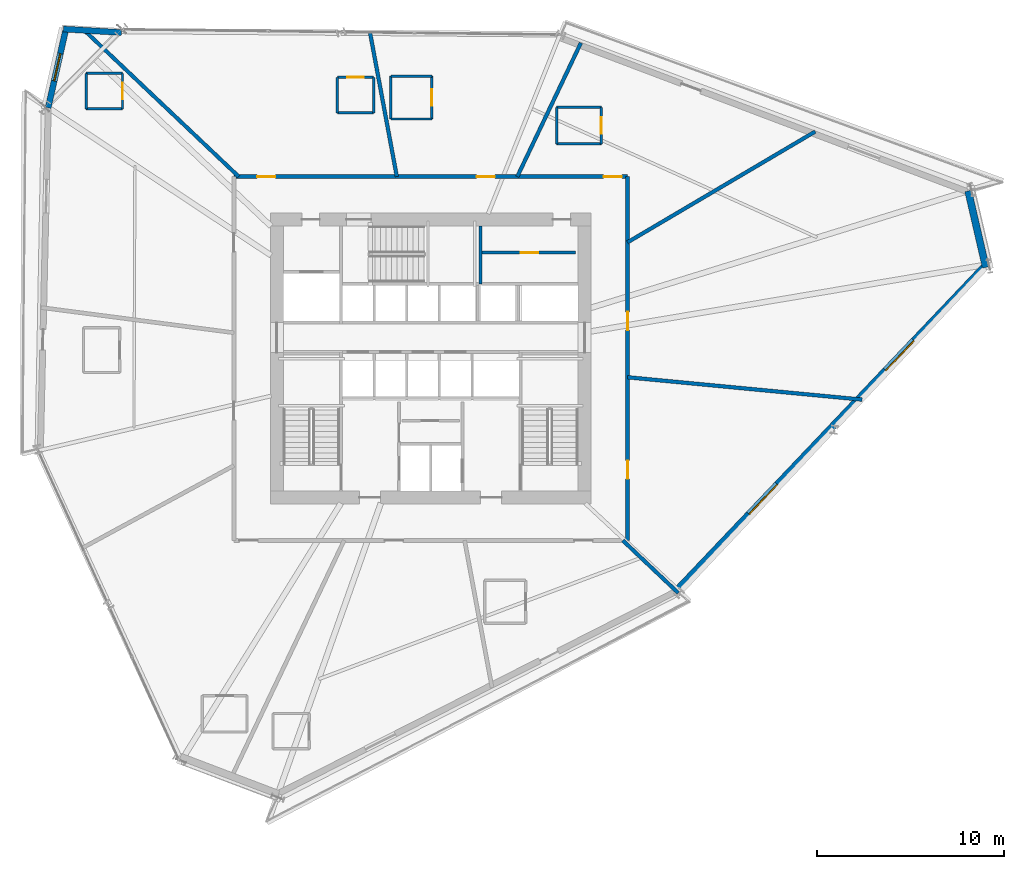
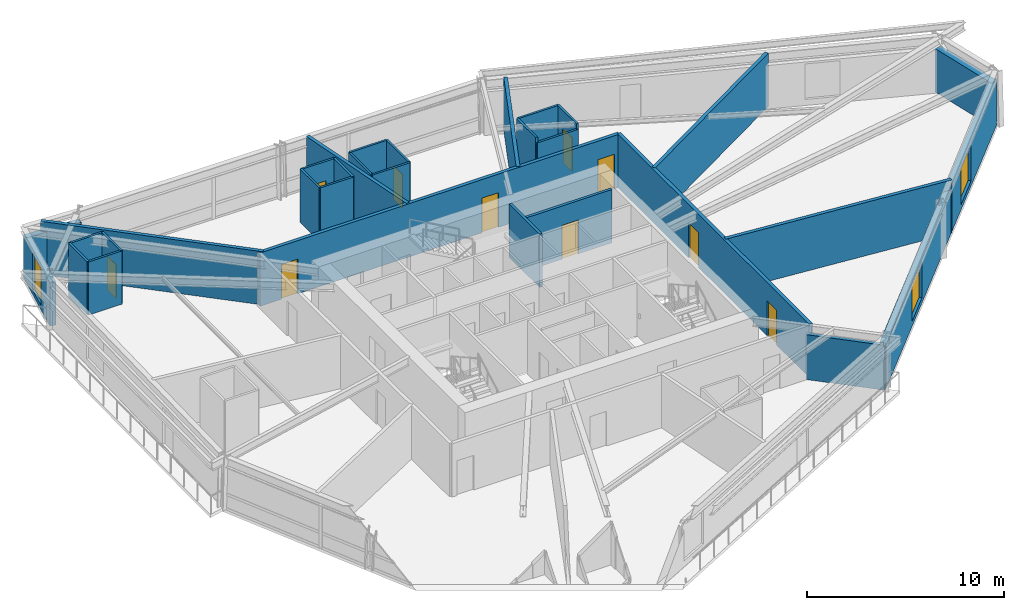
# One storey, part 16 of 21: 30 walls, 10 doors, 3 windows, 13 openings.
"""IFC4 building model written with IfcOpenShell, lengths in metres."""

import ifcopenshell
import ifcopenshell.guid

model = None  # the IFC model being written
_history = None  # IfcOwnerHistory: only IFC2X3 demands one
_inside = {}  # id of a spatial element -> (the spatial element, [elements in it])
_under = {}  # id of a project, library or spatial element -> (it, [spatial elements below it])
_declared = {}  # id of a project -> (the project, [libraries it declares])
_typed = {}  # id of a type object -> (the type object, [elements of that type])
_made_of = {}  # id of a material, layer set ... -> (it, [elements and type objects made of it])


def new_model(schema):
    """Start an empty IFC model of exactly this schema.

    Asked for "IFC4X3", IfcOpenShell would pick the latest addendum, in which some entities
    have other attributes; the version numbers below select the first issue.
    IFC2X3 requires an IfcOwnerHistory on every rooted entity: one is made here for all.
    """
    global model, _history
    if schema == "IFC4X3":
        model = ifcopenshell.file(schema_version=(4, 3, 0, 0))
    else:
        model = ifcopenshell.file(schema=schema)
    _inside.clear()
    _under.clear()
    _declared.clear()
    _typed.clear()
    _made_of.clear()
    _history = None
    if model.schema == "IFC2X3":
        org = make("IfcOrganization", Name="unknown")
        user = make(
            "IfcPersonAndOrganization",
            ThePerson=make("IfcPerson", FamilyName="unknown"),
            TheOrganization=org,
        )
        app = make(
            "IfcApplication",
            ApplicationDeveloper=org,
            Version="unknown",
            ApplicationFullName="unknown",
            ApplicationIdentifier="unknown",
        )
        _history = make(
            "IfcOwnerHistory",
            OwningUser=user,
            OwningApplication=app,
            ChangeAction="ADDED",
            CreationDate=0,
        )
    return model


def make(cls, **values):
    """One entity of the class cls with the attributes given. An attribute that is None is left unset."""
    return model.create_entity(
        cls, **{name: value for name, value in values.items() if value is not None}
    )


def rooted(cls, **values):
    """An entity with a GlobalId (a new one), such as an element, a storey or a relation."""
    return make(cls, GlobalId=ifcopenshell.guid.new(), OwnerHistory=_history, **values)


def si_unit(unit_type, name, prefix=None):
    """IfcSIUnit, for example si_unit("LENGTHUNIT", "METRE", prefix="MILLI")."""
    return make("IfcSIUnit", UnitType=unit_type, Prefix=prefix, Name=name)


def assignment(units):
    """IfcUnitAssignment: the units of a project."""
    return None if units is None else make("IfcUnitAssignment", Units=units)


def point(xyz):
    """IfcCartesianPoint."""
    return None if xyz is None else make("IfcCartesianPoint", Coordinates=xyz)


def direction(xyz):
    """IfcDirection."""
    return None if xyz is None else make("IfcDirection", DirectionRatios=xyz)


def frame(location, z_axis=None, x_axis=None):
    """IfcAxis2Placement3D, a coordinate frame: its origin and axes. An axis left out is left unset."""
    return make(
        "IfcAxis2Placement3D",
        Location=point(location),
        Axis=direction(z_axis),
        RefDirection=direction(x_axis),
    )


def frame_2d(location, x_axis=None):
    """IfcAxis2Placement2D, a coordinate frame in the plane: its origin and x axis."""
    return make(
        "IfcAxis2Placement2D", Location=point(location), RefDirection=direction(x_axis)
    )


def origin():
    """The frame at (0, 0, 0) with its axes left unset."""
    return frame((0.0, 0.0, 0.0))


def place(relative_to, where):
    """IfcLocalPlacement: puts the frame where relative to a parent placement (None: the world)."""
    return make(
        "IfcLocalPlacement", PlacementRelTo=relative_to, RelativePlacement=where
    )


def context(
    kind, dimensions, precision=None, world=None, true_north=None, identifier=None
):
    """IfcGeometricRepresentationContext, for example the 3D "Model" context."""
    return make(
        "IfcGeometricRepresentationContext",
        ContextIdentifier=identifier,
        ContextType=kind,
        CoordinateSpaceDimension=dimensions,
        Precision=precision,
        WorldCoordinateSystem=world,
        TrueNorth=true_north,
    )


def subcontext(parent, identifier, kind, view, scale=None):
    """IfcGeometricRepresentationSubContext, for example "Body" below "Model"."""
    return make(
        "IfcGeometricRepresentationSubContext",
        ContextIdentifier=identifier,
        ContextType=kind,
        ParentContext=parent,
        TargetScale=scale,
        TargetView=view,
    )


def project(units=None, contexts=None):
    """IfcProject with its units and contexts."""
    return rooted(
        "IfcProject",
        Name="project",
        RepresentationContexts=contexts,
        UnitsInContext=assignment(units),
    )


def spatial(cls, under=None, at=None, **own):
    """A site, building, storey or space (cls), placed at a placement, below another one or the project."""
    s = rooted(cls, ObjectPlacement=at, **own)
    if under is not None:
        _under.setdefault(under.id(), (under, []))[1].append(s)
    return s


def profile(cls, at=None, kind="AREA", **sizes):
    """A parametric profile (cls). Its sizes go by their IFC names, for example OverallWidth=200.0."""
    return make(cls, ProfileType=kind, Position=at, **sizes)


def rectangle(**sizes):
    """IfcRectangleProfileDef."""
    return profile("IfcRectangleProfileDef", **sizes)


def extrude(swept, where, along, depth):
    """IfcExtrudedAreaSolid: the profile swept, set in the frame where, extruded along a direction by depth."""
    return make(
        "IfcExtrudedAreaSolid",
        SweptArea=swept,
        Position=where,
        ExtrudedDirection=direction(along),
        Depth=depth,
    )


def shape(context_of_items, identifier, shape_type, items):
    """IfcShapeRepresentation: the items that make up one representation, for example the "Body"."""
    return make(
        "IfcShapeRepresentation",
        ContextOfItems=context_of_items,
        RepresentationIdentifier=identifier,
        RepresentationType=shape_type,
        Items=items,
    )


def source(mapping_origin, context_of_items, identifier, shape_type, items):
    """IfcRepresentationMap: a shape defined once, which mapped items show again and again."""
    return make(
        "IfcRepresentationMap",
        MappingOrigin=mapping_origin,
        MappedRepresentation=shape(context_of_items, identifier, shape_type, items),
    )


def transform(
    local_origin,
    x_axis=None,
    y_axis=None,
    z_axis=None,
    scale=None,
    scale2=None,
    scale3=None,
    uniform=True,
):
    """IfcCartesianTransformationOperator3D, or its non-uniform kind. x_axis, y_axis, z_axis: its Axis1, 2, 3."""
    if uniform:
        return make(
            "IfcCartesianTransformationOperator3D",
            Axis1=direction(x_axis),
            Axis2=direction(y_axis),
            LocalOrigin=point(local_origin),
            Scale=scale,
            Axis3=direction(z_axis),
        )
    return make(
        "IfcCartesianTransformationOperator3DnonUniform",
        Axis1=direction(x_axis),
        Axis2=direction(y_axis),
        LocalOrigin=point(local_origin),
        Scale=scale,
        Axis3=direction(z_axis),
        Scale2=scale2,
        Scale3=scale3,
    )


def mapped(mapping_source, mapping_target):
    """IfcMappedItem: shows the shape of a source again, moved by a transform."""
    return make(
        "IfcMappedItem", MappingSource=mapping_source, MappingTarget=mapping_target
    )


def material(Name=None, Category=None):
    """IfcMaterial."""
    return make("IfcMaterial", Name=Name, Category=Category)


def layer(
    of_material, thickness, ventilated=None, Name=None, Category=None, Priority=None
):
    """IfcMaterialLayer: one layer of a wall or slab, of a material (None: an air gap)."""
    return make(
        "IfcMaterialLayer",
        Material=of_material,
        LayerThickness=thickness,
        IsVentilated=ventilated,
        Name=Name,
        Category=Category,
        Priority=Priority,
    )


def layer_set(layers, Name=None):
    """IfcMaterialLayerSet."""
    return make("IfcMaterialLayerSet", MaterialLayers=layers, LayerSetName=Name)


def made_of(thing, what):
    """Note that an element or type object is made of a material, layer set ...; save() writes the relation."""
    if what is not None:
        _made_of.setdefault(what.id(), (what, []))[1].append(thing)
    return thing


def type_object(cls, material=None, **own):
    """A type object (cls), such as IfcWallType, which elements share."""
    return made_of(rooted(cls, **own), material)


def type_shapes(of_type, sources):
    """Give a type object the sources (RepresentationMaps) that its elements show as mapped items."""
    of_type.RepresentationMaps = sources


def element(
    cls,
    number,
    at=None,
    inside=None,
    cuts=None,
    type_object=None,
    material=None,
    context=None,
    identifier="Body",
    shape_type=None,
    held_by="IfcProductDefinitionShape",
    body=None,
    shapes=None,
    **own,
):
    """One element of the class cls, such as IfcWall. Its Tag is "e" and its number.

    at: its placement. inside: the storey or other place that contains it. cuts: it is an
    opening in that element (IfcRelVoidsElement). A single representation is given by context,
    identifier, shape_type and body (its items); several are given by shapes. held_by: the class
    of the entity that holds the representations. save() writes the other relations.
    """
    e = rooted(cls, Tag="e%d" % number, ObjectPlacement=at, **own)
    if body is not None:
        shapes = [shape(context, identifier, shape_type, body)]
    if shapes is not None:
        e.Representation = make(held_by, Representations=shapes)
    if inside is not None:
        _inside.setdefault(inside.id(), (inside, []))[1].append(e)
    if cuts is not None:
        rooted(
            "IfcRelVoidsElement", RelatingBuildingElement=cuts, RelatedOpeningElement=e
        )
    if type_object is not None:
        _typed.setdefault(type_object.id(), (type_object, []))[1].append(e)
    return made_of(e, material)


def fill(opening, filler):
    """IfcRelFillsElement: the door or window that sits in an opening."""
    return rooted(
        "IfcRelFillsElement",
        RelatingOpeningElement=opening,
        RelatedBuildingElement=filler,
    )


def aggregate(whole, parts):
    """IfcRelAggregates: a whole, such as a stair, and the parts it consists of."""
    return rooted("IfcRelAggregates", RelatingObject=whole, RelatedObjects=parts)


def save(model, path):
    """Write the relations noted so far, then the file.

    IfcRelAggregates (storeys below a building ...), IfcRelContainedInSpatialStructure (elements
    in a storey), IfcRelDefinesByType, IfcRelAssociatesMaterial and IfcRelDeclares: one each for
    every whole, place, type object, material and project.
    """
    for whole, parts in _under.values():
        aggregate(whole, parts)
    for where, things in _inside.values():
        rooted(
            "IfcRelContainedInSpatialStructure",
            RelatedElements=things,
            RelatingStructure=where,
        )
    for kind, things in _typed.values():
        rooted("IfcRelDefinesByType", RelatedObjects=things, RelatingType=kind)
    for what, things in _made_of.values():
        rooted("IfcRelAssociatesMaterial", RelatedObjects=things, RelatingMaterial=what)
    for by, libraries in _declared.values():
        rooted("IfcRelDeclares", RelatingContext=by, RelatedDefinitions=libraries)
    model.write(path)


model = new_model("IFC4")

# Units and contexts
model_context = context("Model", 3, precision=1e-05, world=origin(), true_north=direction((0.0, 1.0)))
body_context = subcontext(model_context, "Body", "Model", "MODEL_VIEW")
ifc_project = project(units=[si_unit("LENGTHUNIT", "METRE"), si_unit("AREAUNIT", "SQUARE_METRE"), si_unit("VOLUMEUNIT", "CUBIC_METRE"), si_unit("PLANEANGLEUNIT", "RADIAN"), si_unit("MASSUNIT", "GRAM", prefix="KILO")], contexts=[model_context])

# Site, building, storey
site_placement = place(None, origin())
site = spatial("IfcSite", under=ifc_project, at=site_placement, CompositionType="ELEMENT")
building_placement = place(site_placement, origin())
building = spatial("IfcBuilding", under=site, at=building_placement, Name="Olszyna Solenne Hotel", CompositionType="ELEMENT")
storey_placement = place(building_placement, frame((0.0, 0.0, 91.5)))
storey = spatial("IfcBuildingStorey", under=building, at=storey_placement, Name="L23", CompositionType="ELEMENT", Elevation=91.5)

# Wall, opening, window
ifc_material_1 = material(Name="Precast concrete C45/55", Category="concrete")
ifc_layer_1 = layer(ifc_material_1, 0.320068359375, Name="Precast concrete C45/55")
ifc_layer_set_1 = layer_set([ifc_layer_1], Name="Precast concrete C45/55")
wall_type_1 = type_object("IfcWallType", Name="WL-EX320", PredefinedType="SOLIDWALL", material=ifc_layer_set_1)
wall_1_placement = place(storey_placement, frame((17.493408203125, 40.037353515625, 0.0), z_axis=(0.0, 0.0, 1.0), x_axis=(0.21986043662, 0.975531336457, 0.0)))
wall_1 = element("IfcWall", 1, at=wall_1_placement, inside=storey, type_object=wall_type_1, Name="Exterior terracotta-precast frame wall WL-EX320 EW-L23-05", PredefinedType="SOLIDWALL", context=body_context, shape_type="SweptSolid", body=[
    extrude(rectangle(XDim=4.453857421875, YDim=0.320068359375, at=frame_2d((2.22705078125, 0.0))), origin(), (0.0, 0.0, 1.0), 2.69189453125),
])
opening_1_placement = place(wall_1_placement, frame((1.47705078125, 0.0, 0.27197265625)))
opening_1 = element("IfcOpeningElement", 2, at=opening_1_placement, cuts=wall_1, Name="Opening WN-L23-123", PredefinedType="OPENING", context=body_context, shape_type="SweptSolid", body=[
    extrude(rectangle(XDim=1.5, YDim=2.300048828125, at=frame_2d((0.75, 1.14990234375))), frame((0.0, 0.169921875, 0.0), z_axis=(0.0, -1.0, 0.0), x_axis=(1.0, 0.0, 0.0)), (0.0, 0.0, 1.0), 0.340087890625),
])
ifc_material_2 = material(Name="Low-E triple glazing", Category="glass")
window_type_1 = type_object("IfcWindowType", Name="WN-CH1", PartitioningType="SINGLE_PANEL", PredefinedType="WINDOW", material=ifc_material_2)
shared_shape_1 = source(origin(), body_context, "Body", "SweptSolid", [
    extrude(rectangle(XDim=1.5, YDim=2.300048828125, at=frame_2d((0.75, 1.14990234375))), frame((0.0, 0.030029296875, 0.0), z_axis=(0.0, -1.0, 0.0), x_axis=(1.0, 0.0, 0.0)), (0.0, 0.0, 1.0), 0.06005859375),
])
type_shapes(window_type_1, [shared_shape_1])
window_1_placement = place(opening_1_placement, origin())
window_1 = element("IfcWindow", 3, at=window_1_placement, inside=storey, type_object=window_type_1, Name="Exterior facade window WN-CH1 WN-L23-123", OverallHeight=2.300048828125, OverallWidth=1.5, PartitioningType="SINGLE_PANEL", PredefinedType="WINDOW", context=body_context, shape_type="MappedRepresentation", body=[
    mapped(shared_shape_1, transform((0.0, 0.0, 0.0), x_axis=(1.0, 0.0, 0.0), y_axis=(0.0, 1.0, 0.0), z_axis=(0.0, 0.0, 1.0), scale=1.0)),
])
fill(opening_1, window_1)

# Walls
wall_2_placement = place(storey_placement, frame((18.306884765625, 44.2578125, 0.0), z_axis=(0.0, 0.0, 1.0), x_axis=(0.99821092273, -0.059790916893, 0.0)))
element("IfcWall", 4, at=wall_2_placement, inside=storey, type_object=wall_type_1, Name="Exterior terracotta-precast frame wall WL-EX320 EW-L23-06", PredefinedType="SOLIDWALL", context=body_context, shape_type="SweptSolid", body=[
    extrude(rectangle(XDim=3.11962890625, YDim=0.320068359375, at=frame_2d((1.559814453125, 0.0))), origin(), (0.0, 0.0, 1.0), 2.69189453125),
])
ifc_material_3 = material(Name="Terracotta cladding on precast concrete C45/55", Category="masonry")
ifc_layer_2 = layer(ifc_material_3, 0.3798828125, Name="Terracotta cladding on precast concrete C45/55")
ifc_layer_set_2 = layer_set([ifc_layer_2], Name="Terracotta cladding on precast concrete C45/55")
wall_type_2 = type_object("IfcWallType", Name="WL-EX380", PredefinedType="SOLIDWALL", material=ifc_layer_set_2)
wall_3_placement = place(storey_placement, frame((66.80908203125, 35.581787109375, 0.0), z_axis=(0.0, 0.0, 1.0), x_axis=(0.224948447552, -0.974370666607, 0.0)))
element("IfcWall", 5, at=wall_3_placement, inside=storey, type_object=wall_type_2, Name="Exterior terracotta-precast frame wall WL-EX380 EW-L23-09", PredefinedType="SOLIDWALL", context=body_context, shape_type="SweptSolid", body=[
    extrude(rectangle(XDim=4.2099609375, YDim=0.3798828125, at=frame_2d((2.10498046875, 0.0))), origin(), (0.0, 0.0, 1.0), 2.69189453125),
])

# Wall, openings, windows
wall_4_placement = place(storey_placement, frame((67.8037109375, 31.6533203125, 0.0), z_axis=(0.0, 0.0, 1.0), x_axis=(-0.688883618007, -0.724871961688, 0.0)))
wall_4 = element("IfcWall", 6, at=wall_4_placement, inside=storey, type_object=wall_type_2, Name="Exterior terracotta-precast frame wall WL-EX380 EW-L23-10", PredefinedType="SOLIDWALL", context=body_context, shape_type="SweptSolid", body=[
    extrude(rectangle(XDim=24.150634765625, YDim=0.3798828125, at=frame_2d((12.0751953125, 0.0))), origin(), (0.0, 0.0, 1.0), 2.69189453125),
])
opening_2_placement = place(wall_4_placement, frame((5.662109375, 0.0, 0.322021484375)))
opening_2 = element("IfcOpeningElement", 7, at=opening_2_placement, cuts=wall_4, Name="Opening WN-L23-125", PredefinedType="OPENING", context=body_context, shape_type="SweptSolid", body=[
    extrude(rectangle(XDim=2.199951171875, YDim=2.25, at=frame_2d((1.10009765625, 1.125))), frame((0.0, 0.199951171875, 0.0), z_axis=(0.0, -1.0, 0.0), x_axis=(1.0, 0.0, 0.0)), (0.0, 0.0, 1.0), 0.39990234375),
])
opening_3_placement = place(wall_4_placement, frame((16.2880859375, 0.0, 0.322021484375)))
opening_3 = element("IfcOpeningElement", 8, at=opening_3_placement, cuts=wall_4, Name="Opening WN-L23-126", PredefinedType="OPENING", context=body_context, shape_type="SweptSolid", body=[
    extrude(rectangle(XDim=2.199951171875, YDim=2.25, at=frame_2d((1.10009765625, 1.125))), frame((0.0, 0.199951171875, 0.0), z_axis=(0.0, -1.0, 0.0), x_axis=(1.0, 0.0, 0.0)), (0.0, 0.0, 1.0), 0.39990234375),
])
window_type_2 = type_object("IfcWindowType", Name="WN-HT2", PartitioningType="SINGLE_PANEL", PredefinedType="WINDOW", material=ifc_material_2)
shared_shape_2 = source(origin(), body_context, "Body", "SweptSolid", [
    extrude(rectangle(XDim=2.199951171875, YDim=2.25, at=frame_2d((1.10009765625, 1.125))), frame((0.0, 0.030029296875, 0.0), z_axis=(0.0, -1.0, 0.0), x_axis=(1.0, 0.0, 0.0)), (0.0, 0.0, 1.0), 0.06005859375),
])
type_shapes(window_type_2, [shared_shape_2])
window_2_placement = place(opening_2_placement, origin())
window_2 = element("IfcWindow", 9, at=window_2_placement, inside=storey, type_object=window_type_2, Name="Exterior facade window WN-HT2 WN-L23-125", OverallHeight=2.25, OverallWidth=2.199951171875, PartitioningType="SINGLE_PANEL", PredefinedType="WINDOW", context=body_context, shape_type="MappedRepresentation", body=[
    mapped(shared_shape_2, transform((0.0, 0.0, 0.0), x_axis=(1.0, 0.0, 0.0), y_axis=(0.0, 1.0, 0.0), z_axis=(0.0, 0.0, 1.0), scale=1.0)),
])
fill(opening_2, window_2)
window_3_placement = place(opening_3_placement, origin())
window_3 = element("IfcWindow", 10, at=window_3_placement, inside=storey, type_object=window_type_2, Name="Exterior facade window WN-HT2 WN-L23-126", OverallHeight=2.25, OverallWidth=2.199951171875, PartitioningType="SINGLE_PANEL", PredefinedType="WINDOW", context=body_context, shape_type="MappedRepresentation", body=[
    mapped(shared_shape_2, transform((0.0, 0.0, 0.0), x_axis=(1.0, 0.0, 0.0), y_axis=(0.0, 1.0, 0.0), z_axis=(0.0, 0.0, 1.0), scale=1.0)),
])
fill(opening_3, window_3)

# Wall, opening, door
ifc_material_4 = material(Name="Acoustic gypsum partition", Category="gypsum")
ifc_layer_3 = layer(ifc_material_4, 0.125, Name="Acoustic gypsum partition")
ifc_layer_set_3 = layer_set([ifc_layer_3], Name="Acoustic gypsum partition")
wall_type_3 = type_object("IfcWallType", Name="WL-PT125", PredefinedType="PARTITIONING", material=ifc_layer_set_3)
wall_5_placement = place(storey_placement, frame((38.06103515625, 39.43408203125, 0.0), z_axis=(0.0, 0.0, 1.0), x_axis=(0.0, 1.0, 0.0)))
wall_5 = element("IfcWall", 11, at=wall_5_placement, inside=storey, type_object=wall_type_3, Name="Interior acoustic partition WL-PT125 PW-L23-1307", PredefinedType="PARTITIONING", context=body_context, shape_type="SweptSolid", body=[
    extrude(rectangle(XDim=2.2998046875, YDim=0.125, at=frame_2d((1.14990234375, 0.0))), origin(), (0.0, 0.0, 1.0), 3.300048828125),
])
opening_4_placement = place(wall_5_placement, frame((0.699951171875, 0.0, 0.0)))
opening_4 = element("IfcOpeningElement", 12, at=opening_4_placement, cuts=wall_5, Name="Opening DR-L23-0302", PredefinedType="OPENING", context=body_context, shape_type="SweptSolid", body=[
    extrude(rectangle(XDim=0.89990234375, YDim=2.10009765625, at=frame_2d((0.449951171875, 1.050048828125))), frame((0.0, 0.072509765625, 0.0), z_axis=(0.0, -1.0, 0.0), x_axis=(1.0, 0.0, 0.0)), (0.0, 0.0, 1.0), 0.14501953125),
])
ifc_material_5 = material(Name="Timber hardwood", Category="wood")
door_type_1 = type_object("IfcDoorType", Name="DR-WC1", OperationType="NOTDEFINED", PredefinedType="DOOR", material=ifc_material_5)
shared_shape_3 = source(origin(), body_context, "Body", "SweptSolid", [
    extrude(rectangle(XDim=0.89990234375, YDim=2.10009765625, at=frame_2d((0.449951171875, 1.050048828125))), frame((0.0, 0.02490234375, 0.0), z_axis=(0.0, -1.0, 0.0), x_axis=(1.0, 0.0, 0.0)), (0.0, 0.0, 1.0), 0.050048828125),
])
type_shapes(door_type_1, [shared_shape_3])
door_1_placement = place(opening_4_placement, origin())
door_1 = element("IfcDoor", 13, at=door_1_placement, inside=storey, type_object=door_type_1, Name="En-Suite Bathroom Door DR-L23-0302", OperationType="SINGLE_SWING_LEFT", OverallHeight=2.10009765625, OverallWidth=0.89990234375, PredefinedType="DOOR", context=body_context, shape_type="MappedRepresentation", body=[
    mapped(shared_shape_3, transform((0.0, 0.0, 0.0), x_axis=(1.0, 0.0, 0.0), y_axis=(0.0, 1.0, 0.0), z_axis=(0.0, 0.0, 1.0), scale=1.0)),
])
fill(opening_4, door_1)

# Walls
wall_6_placement = place(storey_placement, frame((38.06103515625, 41.73388671875, 0.0), z_axis=(0.0, 0.0, 1.0), x_axis=(-1.0, 0.0, 0.0)))
element("IfcWall", 14, at=wall_6_placement, inside=storey, type_object=wall_type_3, Name="Interior acoustic partition WL-PT125 PW-L23-1308", PredefinedType="PARTITIONING", context=body_context, shape_type="SweptSolid", body=[
    extrude(rectangle(XDim=2.199951171875, YDim=0.125, at=frame_2d((1.10009765625, 0.0))), origin(), (0.0, 0.0, 1.0), 3.300048828125),
])
wall_7_placement = place(storey_placement, frame((35.861083984375, 41.73388671875, 0.0), z_axis=(0.0, 0.0, 1.0), x_axis=(0.0, -1.0, 0.0)))
element("IfcWall", 15, at=wall_7_placement, inside=storey, type_object=wall_type_3, Name="Interior acoustic partition WL-PT125 PW-L23-1309", PredefinedType="PARTITIONING", context=body_context, shape_type="SweptSolid", body=[
    extrude(rectangle(XDim=2.2998046875, YDim=0.125, at=frame_2d((1.14990234375, 0.0))), origin(), (0.0, 0.0, 1.0), 3.300048828125),
])
wall_8_placement = place(storey_placement, frame((35.861083984375, 39.43408203125, 0.0), z_axis=(0.0, 0.0, 1.0), x_axis=(1.0, 0.0, 0.0)))
element("IfcWall", 16, at=wall_8_placement, inside=storey, type_object=wall_type_3, Name="Interior acoustic partition WL-PT125 PW-L23-1310", PredefinedType="PARTITIONING", context=body_context, shape_type="SweptSolid", body=[
    extrude(rectangle(XDim=2.199951171875, YDim=0.125, at=frame_2d((1.10009765625, 0.0))), origin(), (0.0, 0.0, 1.0), 3.300048828125),
])
wall_9_placement = place(storey_placement, frame((34.945068359375, 39.77099609375, 0.0), z_axis=(0.0, 0.0, 1.0), x_axis=(0.0, 1.0, 0.0)))
element("IfcWall", 17, at=wall_9_placement, inside=storey, type_object=wall_type_3, Name="Interior acoustic partition WL-PT125 PW-L23-1311", PredefinedType="PARTITIONING", context=body_context, shape_type="SweptSolid", body=[
    extrude(rectangle(XDim=1.89990234375, YDim=0.125, at=frame_2d((0.949951171875, 0.0))), origin(), (0.0, 0.0, 1.0), 3.300048828125),
])

# Wall, opening, door
wall_10_placement = place(storey_placement, frame((34.945068359375, 41.6708984375, 0.0), z_axis=(0.0, 0.0, 1.0), x_axis=(-1.0, 0.0, 0.0)))
wall_10 = element("IfcWall", 18, at=wall_10_placement, inside=storey, type_object=wall_type_3, Name="Interior acoustic partition WL-PT125 PW-L23-1312", PredefinedType="PARTITIONING", context=body_context, shape_type="SweptSolid", body=[
    extrude(rectangle(XDim=1.949951171875, YDim=0.125, at=frame_2d((0.97509765625, 0.0))), origin(), (0.0, 0.0, 1.0), 3.300048828125),
])
opening_5_placement = place(wall_10_placement, frame((0.52490234375, 0.0, 0.0)))
opening_5 = element("IfcOpeningElement", 19, at=opening_5_placement, cuts=wall_10, Name="Opening DR-L23-0303", PredefinedType="OPENING", context=body_context, shape_type="SweptSolid", body=[
    extrude(rectangle(XDim=0.89990234375, YDim=2.10009765625, at=frame_2d((0.449951171875, 1.050048828125))), frame((0.0, 0.072509765625, 0.0), z_axis=(0.0, -1.0, 0.0), x_axis=(1.0, 0.0, 0.0)), (0.0, 0.0, 1.0), 0.14501953125),
])
door_2_placement = place(opening_5_placement, origin())
door_2 = element("IfcDoor", 20, at=door_2_placement, inside=storey, type_object=door_type_1, Name="En-Suite Bathroom Door DR-L23-0303", OperationType="SINGLE_SWING_RIGHT", OverallHeight=2.10009765625, OverallWidth=0.89990234375, PredefinedType="DOOR", context=body_context, shape_type="MappedRepresentation", body=[
    mapped(shared_shape_3, transform((0.0, 0.0, 0.0), x_axis=(1.0, 0.0, 0.0), y_axis=(0.0, 1.0, 0.0), z_axis=(0.0, 0.0, 1.0), scale=1.0)),
])
fill(opening_5, door_2)

# Walls
wall_11_placement = place(storey_placement, frame((32.9951171875, 41.6708984375, 0.0), z_axis=(0.0, 0.0, 1.0), x_axis=(0.0, -1.0, 0.0)))
element("IfcWall", 21, at=wall_11_placement, inside=storey, type_object=wall_type_3, Name="Interior acoustic partition WL-PT125 PW-L23-1313", PredefinedType="PARTITIONING", context=body_context, shape_type="SweptSolid", body=[
    extrude(rectangle(XDim=1.89990234375, YDim=0.125, at=frame_2d((0.949951171875, 0.0))), origin(), (0.0, 0.0, 1.0), 3.300048828125),
])
wall_12_placement = place(storey_placement, frame((32.9951171875, 39.77099609375, 0.0), z_axis=(0.0, 0.0, 1.0), x_axis=(1.0, 0.0, 0.0)))
element("IfcWall", 22, at=wall_12_placement, inside=storey, type_object=wall_type_3, Name="Interior acoustic partition WL-PT125 PW-L23-1314", PredefinedType="PARTITIONING", context=body_context, shape_type="SweptSolid", body=[
    extrude(rectangle(XDim=1.949951171875, YDim=0.125, at=frame_2d((0.97509765625, 0.0))), origin(), (0.0, 0.0, 1.0), 3.300048828125),
])

# Wall, opening, door
wall_13_placement = place(storey_placement, frame((21.47900390625, 39.98291015625, 0.0), z_axis=(0.0, 0.0, 1.0), x_axis=(0.0, 1.0, 0.0)))
wall_13 = element("IfcWall", 23, at=wall_13_placement, inside=storey, type_object=wall_type_3, Name="Interior acoustic partition WL-PT125 PW-L23-1315", PredefinedType="PARTITIONING", context=body_context, shape_type="SweptSolid", body=[
    extrude(rectangle(XDim=1.900146484375, YDim=0.125, at=frame_2d((0.9501953125, 0.0))), origin(), (0.0, 0.0, 1.0), 3.300048828125),
])
opening_6_placement = place(wall_13_placement, frame((0.5, 0.0, 0.0)))
opening_6 = element("IfcOpeningElement", 24, at=opening_6_placement, cuts=wall_13, Name="Opening DR-L23-0304", PredefinedType="OPENING", context=body_context, shape_type="SweptSolid", body=[
    extrude(rectangle(XDim=0.89990234375, YDim=2.10009765625, at=frame_2d((0.449951171875, 1.050048828125))), frame((0.0, 0.072509765625, 0.0), z_axis=(0.0, -1.0, 0.0), x_axis=(1.0, 0.0, 0.0)), (0.0, 0.0, 1.0), 0.14501953125),
])
door_3_placement = place(opening_6_placement, origin())
door_3 = element("IfcDoor", 25, at=door_3_placement, inside=storey, type_object=door_type_1, Name="En-Suite Bathroom Door DR-L23-0304", OperationType="SINGLE_SWING_LEFT", OverallHeight=2.10009765625, OverallWidth=0.89990234375, PredefinedType="DOOR", context=body_context, shape_type="MappedRepresentation", body=[
    mapped(shared_shape_3, transform((0.0, 0.0, 0.0), x_axis=(1.0, 0.0, 0.0), y_axis=(0.0, 1.0, 0.0), z_axis=(0.0, 0.0, 1.0), scale=1.0)),
])
fill(opening_6, door_3)

# Walls
wall_14_placement = place(storey_placement, frame((21.47900390625, 41.883056640625, 0.0), z_axis=(0.0, 0.0, 1.0), x_axis=(-1.0, 0.0, 0.0)))
element("IfcWall", 26, at=wall_14_placement, inside=storey, type_object=wall_type_3, Name="Interior acoustic partition WL-PT125 PW-L23-1316", PredefinedType="PARTITIONING", context=body_context, shape_type="SweptSolid", body=[
    extrude(rectangle(XDim=1.949951171875, YDim=0.125, at=frame_2d((0.97509765625, 0.0))), origin(), (0.0, 0.0, 1.0), 3.300048828125),
])
wall_15_placement = place(storey_placement, frame((19.529052734375, 41.883056640625, 0.0), z_axis=(0.0, 0.0, 1.0), x_axis=(0.0, -1.0, 0.0)))
element("IfcWall", 27, at=wall_15_placement, inside=storey, type_object=wall_type_3, Name="Interior acoustic partition WL-PT125 PW-L23-1317", PredefinedType="PARTITIONING", context=body_context, shape_type="SweptSolid", body=[
    extrude(rectangle(XDim=1.900146484375, YDim=0.125, at=frame_2d((0.9501953125, 0.0))), origin(), (0.0, 0.0, 1.0), 3.300048828125),
])
wall_16_placement = place(storey_placement, frame((19.529052734375, 39.98291015625, 0.0), z_axis=(0.0, 0.0, 1.0), x_axis=(1.0, 0.0, 0.0)))
element("IfcWall", 28, at=wall_16_placement, inside=storey, type_object=wall_type_3, Name="Interior acoustic partition WL-PT125 PW-L23-1318", PredefinedType="PARTITIONING", context=body_context, shape_type="SweptSolid", body=[
    extrude(rectangle(XDim=1.949951171875, YDim=0.125, at=frame_2d((0.97509765625, 0.0))), origin(), (0.0, 0.0, 1.0), 3.300048828125),
])

# Wall, opening, door
wall_17_placement = place(storey_placement, frame((47.14794921875, 38.10791015625, 0.0), z_axis=(0.0, 0.0, 1.0), x_axis=(0.0, 1.0, 0.0)))
wall_17 = element("IfcWall", 29, at=wall_17_placement, inside=storey, type_object=wall_type_3, Name="Interior acoustic partition WL-PT125 PW-L23-1335", PredefinedType="PARTITIONING", context=body_context, shape_type="SweptSolid", body=[
    extrude(rectangle(XDim=1.9501953125, YDim=0.125, at=frame_2d((0.97509765625, 0.0))), origin(), (0.0, 0.0, 1.0), 3.300048828125),
])
opening_7_placement = place(wall_17_placement, frame((0.52490234375, 0.0, 0.0)))
opening_7 = element("IfcOpeningElement", 30, at=opening_7_placement, cuts=wall_17, Name="Opening DR-L23-0309", PredefinedType="OPENING", context=body_context, shape_type="SweptSolid", body=[
    extrude(rectangle(XDim=0.89990234375, YDim=2.10009765625, at=frame_2d((0.449951171875, 1.050048828125))), frame((0.0, 0.072509765625, 0.0), z_axis=(0.0, -1.0, 0.0), x_axis=(1.0, 0.0, 0.0)), (0.0, 0.0, 1.0), 0.14501953125),
])
door_4_placement = place(opening_7_placement, origin())
door_4 = element("IfcDoor", 31, at=door_4_placement, inside=storey, type_object=door_type_1, Name="En-Suite Bathroom Door DR-L23-0309", OperationType="SINGLE_SWING_LEFT", OverallHeight=2.10009765625, OverallWidth=0.89990234375, PredefinedType="DOOR", context=body_context, shape_type="MappedRepresentation", body=[
    mapped(shared_shape_3, transform((0.0, 0.0, 0.0), x_axis=(1.0, 0.0, 0.0), y_axis=(0.0, 1.0, 0.0), z_axis=(0.0, 0.0, 1.0), scale=1.0)),
])
fill(opening_7, door_4)

# Walls
wall_18_placement = place(storey_placement, frame((47.14794921875, 40.05810546875, 0.0), z_axis=(0.0, 0.0, 1.0), x_axis=(-1.0, 0.0, 0.0)))
element("IfcWall", 32, at=wall_18_placement, inside=storey, type_object=wall_type_3, Name="Interior acoustic partition WL-PT125 PW-L23-1336", PredefinedType="PARTITIONING", context=body_context, shape_type="SweptSolid", body=[
    extrude(rectangle(XDim=2.39990234375, YDim=0.125, at=frame_2d((1.199951171875, 0.0))), origin(), (0.0, 0.0, 1.0), 3.300048828125),
])
wall_19_placement = place(storey_placement, frame((44.748046875, 40.05810546875, 0.0), z_axis=(0.0, 0.0, 1.0), x_axis=(0.0, -1.0, 0.0)))
element("IfcWall", 33, at=wall_19_placement, inside=storey, type_object=wall_type_3, Name="Interior acoustic partition WL-PT125 PW-L23-1337", PredefinedType="PARTITIONING", context=body_context, shape_type="SweptSolid", body=[
    extrude(rectangle(XDim=1.9501953125, YDim=0.125, at=frame_2d((0.97509765625, 0.0))), origin(), (0.0, 0.0, 1.0), 3.300048828125),
])
wall_20_placement = place(storey_placement, frame((44.748046875, 38.10791015625, 0.0), z_axis=(0.0, 0.0, 1.0), x_axis=(1.0, 0.0, 0.0)))
element("IfcWall", 34, at=wall_20_placement, inside=storey, type_object=wall_type_3, Name="Interior acoustic partition WL-PT125 PW-L23-1338", PredefinedType="PARTITIONING", context=body_context, shape_type="SweptSolid", body=[
    extrude(rectangle(XDim=2.39990234375, YDim=0.125, at=frame_2d((1.199951171875, 0.0))), origin(), (0.0, 0.0, 1.0), 2.985107421875),
])
ifc_layer_4 = layer(ifc_material_4, 0.159912109375, Name="Acoustic gypsum partition")
ifc_layer_set_4 = layer_set([ifc_layer_4], Name="Acoustic gypsum partition")
wall_type_4 = type_object("IfcWallType", Name="WL-PT160", PredefinedType="PARTITIONING", material=ifc_layer_set_4)
wall_21_placement = place(storey_placement, frame((40.659912109375, 30.60009765625, 0.0), z_axis=(0.0, 0.0, 1.0), x_axis=(0.0, 1.0, 0.0)))
element("IfcWall", 35, at=wall_21_placement, inside=storey, type_object=wall_type_4, Name="Core shaft compartment wall CW-L23-ST3E", PredefinedType="PARTITIONING", context=body_context, shape_type="SweptSolid", body=[
    extrude(rectangle(XDim=3.099853515625, YDim=0.159912109375, at=frame_2d((1.5498046875, 0.0))), origin(), (0.0, 0.0, 1.0), 3.300048828125),
])

# Wall, opening, door
wall_22_placement = place(storey_placement, frame((40.719970703125, 32.27001953125, 0.0), z_axis=(0.0, 0.0, 1.0), x_axis=(1.0, 0.0, 0.0)))
wall_22 = element("IfcWall", 36, at=wall_22_placement, inside=storey, type_object=wall_type_4, Name="Core shaft compartment wall CW-L23-BOH2", PredefinedType="PARTITIONING", context=body_context, shape_type="SweptSolid", body=[
    extrude(rectangle(XDim=5.030029296875, YDim=0.159912109375, at=frame_2d((2.51513671875, 0.0))), origin(), (0.0, 0.0, 1.0), 3.300048828125),
])
opening_8_placement = place(wall_22_placement, frame((2.10009765625, 0.0, 0.0)))
opening_8 = element("IfcOpeningElement", 37, at=opening_8_placement, cuts=wall_22, Name="Opening SVD-L23-BI2", PredefinedType="OPENING", context=body_context, shape_type="SweptSolid", body=[
    extrude(rectangle(XDim=0.949951171875, YDim=2.10009765625, at=frame_2d((0.47509765625, 1.050048828125))), frame((0.0, 0.08984375, 0.0), z_axis=(0.0, -1.0, 0.0), x_axis=(1.0, 0.0, 0.0)), (0.0, 0.0, 1.0), 0.179931640625),
])
ifc_material_6 = material(Name="Steel S355J2", Category="steel")
door_type_2 = type_object("IfcDoorType", Name="DR-SV1", OperationType="NOTDEFINED", PredefinedType="DOOR", material=ifc_material_6)
shared_shape_4 = source(origin(), body_context, "Body", "SweptSolid", [
    extrude(rectangle(XDim=0.949951171875, YDim=2.10009765625, at=frame_2d((0.47509765625, 1.050048828125))), frame((0.0, 0.02490234375, 0.0), z_axis=(0.0, -1.0, 0.0), x_axis=(1.0, 0.0, 0.0)), (0.0, 0.0, 1.0), 0.050048828125),
])
type_shapes(door_type_2, [shared_shape_4])
door_5_placement = place(opening_8_placement, origin())
door_5 = element("IfcDoor", 38, at=door_5_placement, inside=storey, type_object=door_type_2, Name="BOH inter-room fire door SVD-L23-BI2", OperationType="SINGLE_SWING_RIGHT", OverallHeight=2.10009765625, OverallWidth=0.949951171875, PredefinedType="DOOR", context=body_context, shape_type="MappedRepresentation", body=[
    mapped(shared_shape_4, transform((0.0, 0.0, 0.0), x_axis=(1.0, 0.0, 0.0), y_axis=(0.0, 1.0, 0.0), z_axis=(0.0, 0.0, 1.0), scale=1.0)),
])
fill(opening_8, door_5)

# Walls
ifc_layer_5 = layer(ifc_material_4, 0.199951171875, Name="Acoustic gypsum partition")
ifc_layer_set_5 = layer_set([ifc_layer_5], Name="Acoustic gypsum partition")
wall_type_5 = type_object("IfcWallType", Name="WL-PT200", PredefinedType="PARTITIONING", material=ifc_layer_set_5)
wall_23_placement = place(storey_placement, frame((42.64013671875, 36.35009765625, 0.0), z_axis=(0.0, 0.0, 1.0), x_axis=(0.429717281703, 0.902963486419, 0.0)))
element("IfcWall", 39, at=wall_23_placement, inside=storey, type_object=wall_type_5, Name="Interior acoustic partition WL-PT200 PW-L23-1297", PredefinedType="PARTITIONING", context=body_context, shape_type="SweptSolid", body=[
    extrude(rectangle(XDim=7.9306640625, YDim=0.199951171875, at=frame_2d((3.96533203125, 0.0))), origin(), (0.0, 0.0, 1.0), 3.300048828125),
])
wall_24_placement = place(storey_placement, frame((36.18408203125, 36.35009765625, 0.0), z_axis=(0.0, 0.0, 1.0), x_axis=(-0.183071336841, 0.983099631587, 0.0)))
element("IfcWall", 40, at=wall_24_placement, inside=storey, type_object=wall_type_5, Name="Interior acoustic partition WL-PT200 PW-L23-1298", PredefinedType="PARTITIONING", context=body_context, shape_type="SweptSolid", body=[
    extrude(rectangle(XDim=7.82421875, YDim=0.199951171875, at=frame_2d((3.912109375, 0.0))), origin(), (0.0, 0.0, 1.0), 3.300048828125),
])
wall_25_placement = place(storey_placement, frame((27.707763671875, 36.35009765625, 0.0), z_axis=(0.0, 0.0, 1.0), x_axis=(-0.725984751759, 0.68771079693, 0.0)))
element("IfcWall", 41, at=wall_25_placement, inside=storey, type_object=wall_type_5, Name="Interior acoustic partition WL-PT200 PW-L23-1299", PredefinedType="PARTITIONING", context=body_context, shape_type="SweptSolid", body=[
    extrude(rectangle(XDim=11.60302734375, YDim=0.199951171875, at=frame_2d((5.801513671875, 0.0))), origin(), (0.0, 0.0, 1.0), 3.300048828125),
])
wall_26_placement = place(storey_placement, frame((48.292236328125, 16.85009765625, 0.0), z_axis=(0.0, 0.0, 1.0), x_axis=(0.725968335622, -0.687728126279, 0.0)))
element("IfcWall", 42, at=wall_26_placement, inside=storey, type_object=wall_type_5, Name="Interior acoustic partition WL-PT200 PW-L23-1304", PredefinedType="PARTITIONING", context=body_context, shape_type="SweptSolid", body=[
    extrude(rectangle(XDim=4.098876953125, YDim=0.199951171875, at=frame_2d((2.04931640625, 0.0))), origin(), (0.0, 0.0, 1.0), 2.784912109375),
])
wall_27_placement = place(storey_placement, frame((48.550048828125, 25.593505859375, 0.0), z_axis=(0.0, 0.0, 1.0), x_axis=(0.995479823668, -0.094973262925, 0.0)))
element("IfcWall", 43, at=wall_27_placement, inside=storey, type_object=wall_type_5, Name="Interior acoustic partition WL-PT200 PW-L23-1305", PredefinedType="PARTITIONING", context=body_context, shape_type="SweptSolid", body=[
    extrude(rectangle(XDim=12.632080078125, YDim=0.199951171875, at=frame_2d((6.31591796875, 0.0))), origin(), (0.0, 0.0, 1.0), 3.300048828125),
])
wall_28_placement = place(storey_placement, frame((48.550048828125, 32.826904296875, 0.0), z_axis=(0.0, 0.0, 1.0), x_axis=(0.861183611316, 0.508293997212, 0.0)))
element("IfcWall", 44, at=wall_28_placement, inside=storey, type_object=wall_type_5, Name="Interior acoustic partition WL-PT200 PW-L23-1306", PredefinedType="PARTITIONING", context=body_context, shape_type="SweptSolid", body=[
    extrude(rectangle(XDim=11.6787109375, YDim=0.199951171875, at=frame_2d((5.83935546875, 0.0))), origin(), (0.0, 0.0, 1.0), 3.300048828125),
])

# Wall, openings, doors
wall_29_placement = place(storey_placement, frame((27.449951171875, 36.35009765625, 0.0), z_axis=(0.0, 0.0, 1.0), x_axis=(1.0, 0.0, 0.0)))
wall_29 = element("IfcWall", 45, at=wall_29_placement, inside=storey, type_object=wall_type_5, Name="Interior acoustic partition WL-PT200 PW-L23-1341", PredefinedType="PARTITIONING", context=body_context, shape_type="SweptSolid", body=[
    extrude(rectangle(XDim=21.10009765625, YDim=0.199951171875, at=frame_2d((10.550048828125, 0.0))), origin(), (0.0, 0.0, 1.0), 3.300048828125),
])
opening_9_placement = place(wall_29_placement, frame((13.008056640625, 0.0, 0.0)))
opening_9 = element("IfcOpeningElement", 46, at=opening_9_placement, cuts=wall_29, Name="Opening DR-L23-0315", PredefinedType="OPENING", context=body_context, shape_type="SweptSolid", body=[
    extrude(rectangle(XDim=0.97998046875, YDim=2.14990234375, at=frame_2d((0.489990234375, 1.074951171875))), frame((0.0, 0.10986328125, 0.0), z_axis=(0.0, -1.0, 0.0), x_axis=(1.0, 0.0, 0.0)), (0.0, 0.0, 1.0), 0.219970703125),
])
opening_10_placement = place(wall_29_placement, frame((1.25, 0.0, 0.0)))
opening_10 = element("IfcOpeningElement", 47, at=opening_10_placement, cuts=wall_29, Name="Opening DR-L23-0316", PredefinedType="OPENING", context=body_context, shape_type="SweptSolid", body=[
    extrude(rectangle(XDim=0.97998046875, YDim=2.14990234375, at=frame_2d((0.489990234375, 1.074951171875))), frame((0.0, 0.10986328125, 0.0), z_axis=(0.0, -1.0, 0.0), x_axis=(1.0, 0.0, 0.0)), (0.0, 0.0, 1.0), 0.219970703125),
])
opening_11_placement = place(wall_29_placement, frame((19.820068359375, 0.0, 0.0)))
opening_11 = element("IfcOpeningElement", 48, at=opening_11_placement, cuts=wall_29, Name="Opening DR-L23-0317", PredefinedType="OPENING", context=body_context, shape_type="SweptSolid", body=[
    extrude(rectangle(XDim=0.97998046875, YDim=2.14990234375, at=frame_2d((0.489990234375, 1.074951171875))), frame((0.0, 0.10986328125, 0.0), z_axis=(0.0, -1.0, 0.0), x_axis=(1.0, 0.0, 0.0)), (0.0, 0.0, 1.0), 0.219970703125),
])
door_type_3 = type_object("IfcDoorType", Name="DR-RM1", OperationType="NOTDEFINED", PredefinedType="DOOR", material=ifc_material_5)
shared_shape_5 = source(origin(), body_context, "Body", "SweptSolid", [
    extrude(rectangle(XDim=0.97998046875, YDim=2.14990234375, at=frame_2d((0.489990234375, 1.074951171875))), frame((0.0, 0.02490234375, 0.0), z_axis=(0.0, -1.0, 0.0), x_axis=(1.0, 0.0, 0.0)), (0.0, 0.0, 1.0), 0.050048828125),
])
type_shapes(door_type_3, [shared_shape_5])
door_6_placement = place(opening_9_placement, origin())
door_6 = element("IfcDoor", 49, at=door_6_placement, inside=storey, type_object=door_type_3, Name="Deluxe Hotel Guestroom Entrance Door DR-L23-0315", OperationType="SINGLE_SWING_LEFT", OverallHeight=2.14990234375, OverallWidth=0.97998046875, PredefinedType="DOOR", context=body_context, shape_type="MappedRepresentation", body=[
    mapped(shared_shape_5, transform((0.0, 0.0, 0.0), x_axis=(1.0, 0.0, 0.0), y_axis=(0.0, 1.0, 0.0), z_axis=(0.0, 0.0, 1.0), scale=1.0)),
])
fill(opening_9, door_6)
door_7_placement = place(opening_10_placement, origin())
door_7 = element("IfcDoor", 50, at=door_7_placement, inside=storey, type_object=door_type_3, Name="Deluxe Hotel Guestroom Entrance Door DR-L23-0316", OperationType="SINGLE_SWING_RIGHT", OverallHeight=2.14990234375, OverallWidth=0.97998046875, PredefinedType="DOOR", context=body_context, shape_type="MappedRepresentation", body=[
    mapped(shared_shape_5, transform((0.0, 0.0, 0.0), x_axis=(1.0, 0.0, 0.0), y_axis=(0.0, 1.0, 0.0), z_axis=(0.0, 0.0, 1.0), scale=1.0)),
])
fill(opening_10, door_7)
door_8_placement = place(opening_11_placement, origin())
door_8 = element("IfcDoor", 51, at=door_8_placement, inside=storey, type_object=door_type_3, Name="Executive Reading Salon Entrance Door DR-L23-0317", OperationType="SINGLE_SWING_RIGHT", OverallHeight=2.14990234375, OverallWidth=0.97998046875, PredefinedType="DOOR", context=body_context, shape_type="MappedRepresentation", body=[
    mapped(shared_shape_5, transform((0.0, 0.0, 0.0), x_axis=(1.0, 0.0, 0.0), y_axis=(0.0, 1.0, 0.0), z_axis=(0.0, 0.0, 1.0), scale=1.0)),
])
fill(opening_11, door_8)

wall_30_placement = place(storey_placement, frame((48.550048828125, 16.85009765625, 0.0), z_axis=(0.0, 0.0, 1.0), x_axis=(0.0, 1.0, 0.0)))
wall_30 = element("IfcWall", 52, at=wall_30_placement, inside=storey, type_object=wall_type_5, Name="Interior acoustic partition WL-PT200 PW-L23-1342", PredefinedType="PARTITIONING", context=body_context, shape_type="SweptSolid", body=[
    extrude(rectangle(XDim=19.5, YDim=0.199951171875, at=frame_2d((9.75, 0.0))), origin(), (0.0, 0.0, 1.0), 3.300048828125),
])
opening_12_placement = place(wall_30_placement, frame((3.301025390625, 0.0, 0.0)))
opening_12 = element("IfcOpeningElement", 53, at=opening_12_placement, cuts=wall_30, Name="Opening DR-L23-0318", PredefinedType="OPENING", context=body_context, shape_type="SweptSolid", body=[
    extrude(rectangle(XDim=0.97998046875, YDim=2.14990234375, at=frame_2d((0.489990234375, 1.074951171875))), frame((0.0, 0.10986328125, 0.0), z_axis=(0.0, -1.0, 0.0), x_axis=(1.0, 0.0, 0.0)), (0.0, 0.0, 1.0), 0.219970703125),
])
opening_13_placement = place(wall_30_placement, frame((11.263916015625, 0.0, 0.0)))
opening_13 = element("IfcOpeningElement", 54, at=opening_13_placement, cuts=wall_30, Name="Opening DR-L23-0319", PredefinedType="OPENING", context=body_context, shape_type="SweptSolid", body=[
    extrude(rectangle(XDim=0.97998046875, YDim=2.14990234375, at=frame_2d((0.489990234375, 1.074951171875))), frame((0.0, 0.10986328125, 0.0), z_axis=(0.0, -1.0, 0.0), x_axis=(1.0, 0.0, 0.0)), (0.0, 0.0, 1.0), 0.219970703125),
])
door_9_placement = place(opening_12_placement, origin())
door_9 = element("IfcDoor", 55, at=door_9_placement, inside=storey, type_object=door_type_3, Name="Conference Boardroom Entrance Door DR-L23-0318", OperationType="SINGLE_SWING_RIGHT", OverallHeight=2.14990234375, OverallWidth=0.97998046875, PredefinedType="DOOR", context=body_context, shape_type="MappedRepresentation", body=[
    mapped(shared_shape_5, transform((0.0, 0.0, 0.0), x_axis=(1.0, 0.0, 0.0), y_axis=(0.0, 1.0, 0.0), z_axis=(0.0, 0.0, 1.0), scale=1.0)),
])
fill(opening_12, door_9)
door_10_placement = place(opening_13_placement, origin())
door_10 = element("IfcDoor", 56, at=door_10_placement, inside=storey, type_object=door_type_3, Name="Executive Club Lounge Entrance Door DR-L23-0319", OperationType="SINGLE_SWING_LEFT", OverallHeight=2.14990234375, OverallWidth=0.97998046875, PredefinedType="DOOR", context=body_context, shape_type="MappedRepresentation", body=[
    mapped(shared_shape_5, transform((0.0, 0.0, 0.0), x_axis=(1.0, 0.0, 0.0), y_axis=(0.0, 1.0, 0.0), z_axis=(0.0, 0.0, 1.0), scale=1.0)),
])
fill(opening_13, door_10)

save(model, "model.ifc")
